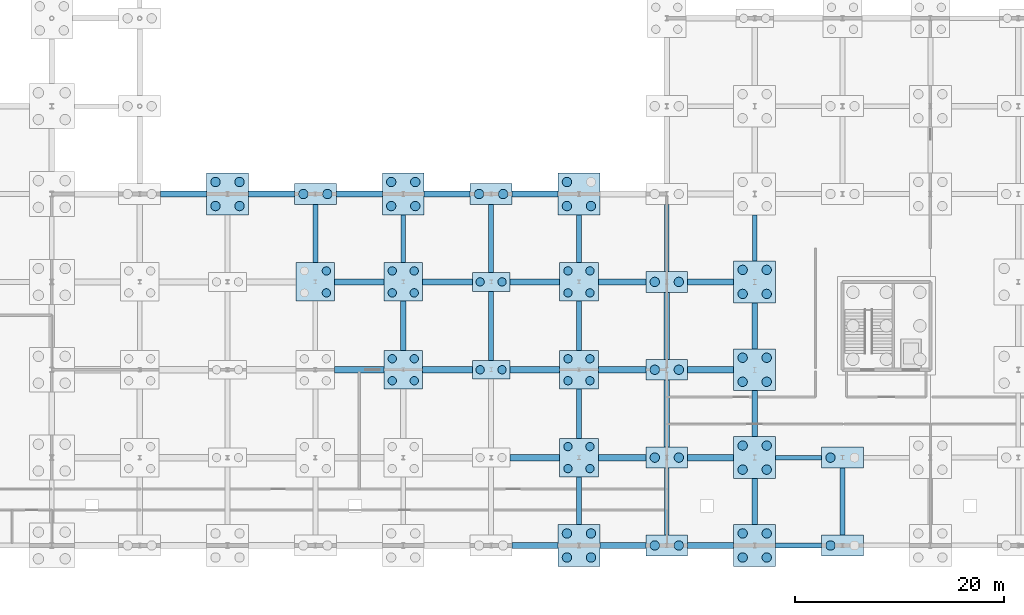
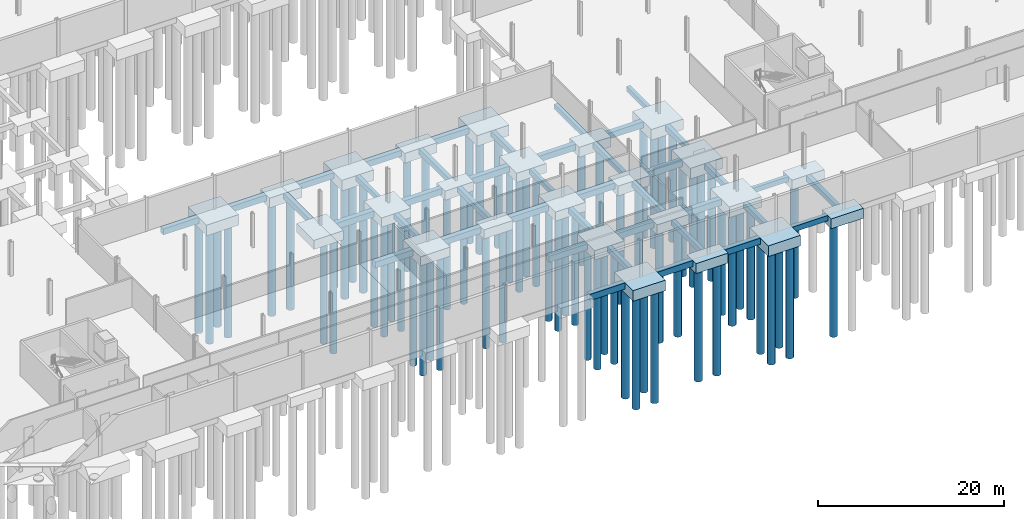
# One storey, part 4 of 51: 71 piles, 65 footings.
"""IFC4 building model written with IfcOpenShell, lengths in metres."""

from ifc_helpers import new_model, si_unit, direction, frame, origin, origin_2d, place, context, subcontext, project, spatial, rectangle, circle, extrude, material, material_profile, profile_set, type_object, element, save


model = new_model("IFC4")

# Units and contexts
model_context = context("Model", 3, precision=1e-05, world=origin(), true_north=direction((0.0, 1.0)))
body_context = subcontext(model_context, "Body", "Model", "MODEL_VIEW")
ifc_project = project(units=[si_unit("LENGTHUNIT", "METRE"), si_unit("AREAUNIT", "SQUARE_METRE"), si_unit("VOLUMEUNIT", "CUBIC_METRE"), si_unit("PLANEANGLEUNIT", "RADIAN"), si_unit("MASSUNIT", "GRAM", prefix="KILO")], contexts=[model_context])

# Site, building, storey
site_placement = place(None, origin())
site = spatial("IfcSite", under=ifc_project, at=site_placement, CompositionType="ELEMENT")
building_placement = place(site_placement, origin())
building = spatial("IfcBuilding", under=site, at=building_placement, Name="Qalvenar Corner Mobility Hub", CompositionType="ELEMENT")
storey_placement = place(building_placement, frame((0.0, 0.0, -4.5)))
storey = spatial("IfcBuildingStorey", under=building, at=storey_placement, Name="B1", CompositionType="ELEMENT", Elevation=-4.5)

# Footings
ifc_material = material(Name="Concrete C40/50", Category="concrete")
footing_type_1 = type_object("IfcFootingType", Name="PC-24X24X12", PredefinedType="PILE_CAP", material=ifc_material)
for number, where, z_axis, x_axis, name in (
    (1, (92.39990234375, 16.800048828125, -1.5498046875), (0.0, 0.0, 1.0), (1.0, 0.0, 0.0), "Pile Cap G12-2"),
    (2, (92.39990234375, 25.199951171875, -1.5498046875), (0.0, 0.0, 1.0), (1.0, 0.0, 0.0), "Pile Cap G12-3"),
):
    element("IfcFooting", number, at=place(storey_placement, frame(where, z_axis=z_axis, x_axis=x_axis)), inside=storey, type_object=footing_type_1, Name=name, PredefinedType="PILE_CAP", context=body_context, shape_type="SweptSolid", body=[
        extrude(rectangle(XDim=3.60009765625, YDim=1.800048828125, at=origin_2d()), origin(), (0.0, 0.0, 1.0), 1.199951171875),
    ])
footing_type_2 = type_object("IfcFootingType", Name="PC-28X28X12", PredefinedType="PILE_CAP", material=ifc_material)
for number, where, z_axis, x_axis, name in (
    (3, (75.60009765625, 25.199951171875, -1.5498046875), (0.0, 0.0, 1.0), (1.0, 0.0, 0.0), "Pile Cap G10-3"),
    (4, (84.0, 16.800048828125, -1.5498046875), (0.0, 0.0, 1.0), (1.0, 0.0, 0.0), "Pile Cap G11-2"),
    (5, (84.0, 25.199951171875, -1.5498046875), (0.0, 0.0, 1.0), (1.0, 0.0, 0.0), "Pile Cap G11-3"),
    (6, (100.800048828125, 8.39990234375, -1.5498046875), (0.0, 0.0, 1.0), (1.0, 0.0, 0.0), "Pile Cap G13-1"),
    (7, (100.800048828125, 16.800048828125, -1.5498046875), (0.0, 0.0, 1.0), (1.0, 0.0, 0.0), "Pile Cap G13-2"),
    (8, (100.800048828125, 25.199951171875, -1.5498046875), (0.0, 0.0, 1.0), (1.0, 0.0, 0.0), "Pile Cap G13-3"),
):
    element("IfcFooting", number, at=place(storey_placement, frame(where, z_axis=z_axis, x_axis=x_axis)), inside=storey, type_object=footing_type_2, Name=name, PredefinedType="PILE_CAP", context=body_context, shape_type="SweptSolid", body=[
        extrude(rectangle(XDim=3.699951171875, YDim=3.699951171875, at=origin_2d()), origin(), (0.0, 0.0, 1.0), 1.199951171875),
    ])
footing_type_3 = type_object("IfcFootingType", Name="PC-32X24X13", PredefinedType="PILE_CAP", material=ifc_material)
for number, where, z_axis, x_axis, name in (
    (9, (75.60009765625, 33.60009765625, -1.64990234375), (0.0, 0.0, 1.0), (1.0, 0.0, 0.0), "Pile Cap G10-4"),
    (10, (92.39990234375, 33.60009765625, -1.64990234375), (0.0, 0.0, 1.0), (1.0, 0.0, 0.0), "Pile Cap G12-4"),
    (11, (109.199951171875, 0.0, -1.64990234375), (0.0, 0.0, 1.0), (1.0, 0.0, 0.0), "Pile Cap G14-0"),
    (12, (109.199951171875, 8.39990234375, -1.64990234375), (0.0, 0.0, 1.0), (1.0, 0.0, 0.0), "Pile Cap G14-1"),
    (13, (109.199951171875, 16.800048828125, -1.64990234375), (0.0, 0.0, 1.0), (1.0, 0.0, 0.0), "Pile Cap G14-2"),
    (14, (109.199951171875, 25.199951171875, -1.64990234375), (0.0, 0.0, 1.0), (1.0, 0.0, 0.0), "Pile Cap G14-3"),
    (15, (126.0, 0.0, -1.64990234375), (0.0, 0.0, 1.0), (1.0, 0.0, 0.0), "Pile Cap G16-0"),
    (16, (126.0, 8.39990234375, -1.64990234375), (0.0, 0.0, 1.0), (1.0, 0.0, 0.0), "Pile Cap G16-1"),
):
    element("IfcFooting", number, at=place(storey_placement, frame(where, z_axis=z_axis, x_axis=x_axis)), inside=storey, type_object=footing_type_3, Name=name, PredefinedType="PILE_CAP", context=body_context, shape_type="SweptSolid", body=[
        extrude(rectangle(XDim=4.0, YDim=2.0, at=origin_2d()), origin(), (0.0, 0.0, 1.0), 1.300048828125),
    ])
footing_type_4 = type_object("IfcFootingType", Name="PC-34X34X14", PredefinedType="PILE_CAP", material=ifc_material)
for number, where, z_axis, x_axis, name in (
    (17, (67.199951171875, 33.60009765625, -1.75), (0.0, 0.0, 1.0), (1.0, 0.0, 0.0), "Pile Cap G9-4"),
    (18, (84.0, 33.60009765625, -1.75), (0.0, 0.0, 1.0), (1.0, 0.0, 0.0), "Pile Cap G11-4"),
    (19, (100.800048828125, 0.0, -1.75), (0.0, 0.0, 1.0), (1.0, 0.0, 0.0), "Pile Cap G13-0"),
    (20, (100.800048828125, 33.60009765625, -1.75), (0.0, 0.0, 1.0), (1.0, 0.0, 0.0), "Pile Cap G13-4"),
    (21, (117.60009765625, 0.0, -1.75), (0.0, 0.0, 1.0), (1.0, 0.0, 0.0), "Pile Cap G15-0"),
    (22, (117.60009765625, 8.39990234375, -1.75), (0.0, 0.0, 1.0), (1.0, 0.0, 0.0), "Pile Cap G15-1"),
    (23, (117.60009765625, 16.800048828125, -1.75), (0.0, 0.0, 1.0), (1.0, 0.0, 0.0), "Pile Cap G15-2"),
    (24, (117.60009765625, 25.199951171875, -1.75), (0.0, 0.0, 1.0), (1.0, 0.0, 0.0), "Pile Cap G15-3"),
):
    element("IfcFooting", number, at=place(storey_placement, frame(where, z_axis=z_axis, x_axis=x_axis)), inside=storey, type_object=footing_type_4, Name=name, PredefinedType="PILE_CAP", context=body_context, shape_type="SweptSolid", body=[
        extrude(rectangle(XDim=4.0, YDim=4.0, at=origin_2d()), origin(), (0.0, 0.0, 1.0), 1.39990234375),
    ])

# Piles
ifc_material_profile_1 = material_profile(ifc_material, circle(Radius=0.39990234375, at=origin_2d()), Name="DIA800")
ifc_profile_set_1 = profile_set([ifc_material_profile_1], Name="Concrete C40/50")
pile_type_1 = type_object("IfcPileType", Name="PILE-800", PredefinedType="BORED", material=ifc_profile_set_1)
for number, where, z_axis, x_axis, name in (
    (25, (76.64990234375, 24.14990234375, -1.39990234375), (0.0, 0.0, -1.0), (1.0, 0.0, 0.0), "Bored Pile G10-3-3"),
    (26, (76.64990234375, 26.25, -1.39990234375), (0.0, 0.0, -1.0), (1.0, 0.0, 0.0), "Bored Pile G10-3-4"),
    (27, (82.949951171875, 15.75, -1.39990234375), (0.0, 0.0, -1.0), (1.0, 0.0, 0.0), "Bored Pile G11-2-1"),
    (28, (82.949951171875, 17.85009765625, -1.39990234375), (0.0, 0.0, -1.0), (1.0, 0.0, 0.0), "Bored Pile G11-2-2"),
    (29, (85.050048828125, 15.75, -1.39990234375), (0.0, 0.0, -1.0), (1.0, 0.0, 0.0), "Bored Pile G11-2-3"),
    (30, (85.050048828125, 17.85009765625, -1.39990234375), (0.0, 0.0, -1.0), (1.0, 0.0, 0.0), "Bored Pile G11-2-4"),
    (31, (82.949951171875, 24.14990234375, -1.39990234375), (0.0, 0.0, -1.0), (1.0, 0.0, 0.0), "Bored Pile G11-3-1"),
    (32, (82.949951171875, 26.25, -1.39990234375), (0.0, 0.0, -1.0), (1.0, 0.0, 0.0), "Bored Pile G11-3-2"),
    (33, (85.050048828125, 24.14990234375, -1.39990234375), (0.0, 0.0, -1.0), (1.0, 0.0, 0.0), "Bored Pile G11-3-3"),
    (34, (85.050048828125, 26.25, -1.39990234375), (0.0, 0.0, -1.0), (1.0, 0.0, 0.0), "Bored Pile G11-3-4"),
    (35, (91.35009765625, 16.800048828125, -1.39990234375), (0.0, 0.0, -1.0), (1.0, 0.0, 0.0), "Bored Pile G12-2-1"),
    (36, (93.449951171875, 16.800048828125, -1.39990234375), (0.0, 0.0, -1.0), (1.0, 0.0, 0.0), "Bored Pile G12-2-2"),
    (37, (91.35009765625, 25.199951171875, -1.39990234375), (0.0, 0.0, -1.0), (1.0, 0.0, 0.0), "Bored Pile G12-3-1"),
    (38, (93.449951171875, 25.199951171875, -1.39990234375), (0.0, 0.0, -1.0), (1.0, 0.0, 0.0), "Bored Pile G12-3-2"),
    (39, (99.75, 7.35009765625, -1.39990234375), (0.0, 0.0, -1.0), (1.0, 0.0, 0.0), "Bored Pile G13-1-1"),
    (40, (99.75, 9.449951171875, -1.39990234375), (0.0, 0.0, -1.0), (1.0, 0.0, 0.0), "Bored Pile G13-1-2"),
    (41, (101.85009765625, 7.35009765625, -1.39990234375), (0.0, 0.0, -1.0), (1.0, 0.0, 0.0), "Bored Pile G13-1-3"),
    (42, (101.85009765625, 9.449951171875, -1.39990234375), (0.0, 0.0, -1.0), (1.0, 0.0, 0.0), "Bored Pile G13-1-4"),
    (43, (99.75, 15.75, -1.39990234375), (0.0, 0.0, -1.0), (1.0, 0.0, 0.0), "Bored Pile G13-2-1"),
    (44, (99.75, 17.85009765625, -1.39990234375), (0.0, 0.0, -1.0), (1.0, 0.0, 0.0), "Bored Pile G13-2-2"),
    (45, (101.85009765625, 15.75, -1.39990234375), (0.0, 0.0, -1.0), (1.0, 0.0, 0.0), "Bored Pile G13-2-3"),
    (46, (101.85009765625, 17.85009765625, -1.39990234375), (0.0, 0.0, -1.0), (1.0, 0.0, 0.0), "Bored Pile G13-2-4"),
    (47, (99.75, 24.14990234375, -1.39990234375), (0.0, 0.0, -1.0), (1.0, 0.0, 0.0), "Bored Pile G13-3-1"),
    (48, (99.75, 26.25, -1.39990234375), (0.0, 0.0, -1.0), (1.0, 0.0, 0.0), "Bored Pile G13-3-2"),
    (49, (101.85009765625, 24.14990234375, -1.39990234375), (0.0, 0.0, -1.0), (1.0, 0.0, 0.0), "Bored Pile G13-3-3"),
    (50, (101.85009765625, 26.25, -1.39990234375), (0.0, 0.0, -1.0), (1.0, 0.0, 0.0), "Bored Pile G13-3-4"),
):
    element("IfcPile", number, at=place(storey_placement, frame(where, z_axis=z_axis, x_axis=x_axis)), inside=storey, type_object=pile_type_1, Name=name, PredefinedType="BORED", context=body_context, shape_type="SweptSolid", body=[
        extrude(circle(Radius=0.39990234375, at=origin_2d()), origin(), (0.0, 0.0, 1.0), 15.10009765625),
    ])
ifc_material_profile_2 = material_profile(ifc_material, circle(Radius=0.449951171875, at=origin_2d()), Name="DIA900")
ifc_profile_set_2 = profile_set([ifc_material_profile_2], Name="Concrete C40/50")
pile_type_2 = type_object("IfcPileType", Name="PILE-900", PredefinedType="BORED", material=ifc_profile_set_2)
for number, where, z_axis, x_axis, name in (
    (51, (66.050048828125, 32.449951171875, -1.60009765625), (0.0, 0.0, -1.0), (1.0, 0.0, 0.0), "Bored Pile G9-4-1"),
    (52, (66.050048828125, 34.75, -1.60009765625), (0.0, 0.0, -1.0), (1.0, 0.0, 0.0), "Bored Pile G9-4-2"),
    (53, (68.35009765625, 32.449951171875, -1.60009765625), (0.0, 0.0, -1.0), (1.0, 0.0, 0.0), "Bored Pile G9-4-3"),
    (54, (68.35009765625, 34.75, -1.60009765625), (0.0, 0.0, -1.0), (1.0, 0.0, 0.0), "Bored Pile G9-4-4"),
):
    element("IfcPile", number, at=place(storey_placement, frame(where, z_axis=z_axis, x_axis=x_axis)), inside=storey, type_object=pile_type_2, Name=name, PredefinedType="BORED", context=body_context, shape_type="SweptSolid", body=[
        extrude(circle(Radius=0.449951171875, at=origin_2d()), origin(), (0.0, 0.0, 1.0), 14.89990234375),
    ])
for number, where, z_axis, x_axis, name in (
    (55, (74.449951171875, 33.60009765625, -1.5), (0.0, 0.0, -1.0), (1.0, 0.0, 0.0), "Bored Pile G10-4-1"),
    (56, (76.75, 33.60009765625, -1.5), (0.0, 0.0, -1.0), (1.0, 0.0, 0.0), "Bored Pile G10-4-2"),
):
    element("IfcPile", number, at=place(storey_placement, frame(where, z_axis=z_axis, x_axis=x_axis)), inside=storey, type_object=pile_type_2, Name=name, PredefinedType="BORED", context=body_context, shape_type="SweptSolid", body=[
        extrude(circle(Radius=0.449951171875, at=origin_2d()), origin(), (0.0, 0.0, 1.0), 15.0),
    ])
for number, where, z_axis, x_axis, name in (
    (57, (82.85009765625, 32.449951171875, -1.60009765625), (0.0, 0.0, -1.0), (1.0, 0.0, 0.0), "Bored Pile G11-4-1"),
    (58, (82.85009765625, 34.75, -1.60009765625), (0.0, 0.0, -1.0), (1.0, 0.0, 0.0), "Bored Pile G11-4-2"),
    (59, (85.14990234375, 32.449951171875, -1.60009765625), (0.0, 0.0, -1.0), (1.0, 0.0, 0.0), "Bored Pile G11-4-3"),
    (60, (85.14990234375, 34.75, -1.60009765625), (0.0, 0.0, -1.0), (1.0, 0.0, 0.0), "Bored Pile G11-4-4"),
):
    element("IfcPile", number, at=place(storey_placement, frame(where, z_axis=z_axis, x_axis=x_axis)), inside=storey, type_object=pile_type_2, Name=name, PredefinedType="BORED", context=body_context, shape_type="SweptSolid", body=[
        extrude(circle(Radius=0.449951171875, at=origin_2d()), origin(), (0.0, 0.0, 1.0), 14.89990234375),
    ])
for number, where, z_axis, x_axis, name in (
    (61, (91.25, 33.60009765625, -1.5), (0.0, 0.0, -1.0), (1.0, 0.0, 0.0), "Bored Pile G12-4-1"),
    (62, (93.550048828125, 33.60009765625, -1.5), (0.0, 0.0, -1.0), (1.0, 0.0, 0.0), "Bored Pile G12-4-2"),
):
    element("IfcPile", number, at=place(storey_placement, frame(where, z_axis=z_axis, x_axis=x_axis)), inside=storey, type_object=pile_type_2, Name=name, PredefinedType="BORED", context=body_context, shape_type="SweptSolid", body=[
        extrude(circle(Radius=0.449951171875, at=origin_2d()), origin(), (0.0, 0.0, 1.0), 15.0),
    ])
for number, where, z_axis, x_axis, name in (
    (63, (99.64990234375, -1.14990234375, -1.60009765625), (0.0, 0.0, -1.0), (1.0, 0.0, 0.0), "Bored Pile G13-0-1"),
    (64, (99.64990234375, 1.14990234375, -1.60009765625), (0.0, 0.0, -1.0), (1.0, 0.0, 0.0), "Bored Pile G13-0-2"),
    (65, (101.949951171875, -1.14990234375, -1.60009765625), (0.0, 0.0, -1.0), (1.0, 0.0, 0.0), "Bored Pile G13-0-3"),
    (66, (101.949951171875, 1.14990234375, -1.60009765625), (0.0, 0.0, -1.0), (1.0, 0.0, 0.0), "Bored Pile G13-0-4"),
    (67, (99.64990234375, 32.449951171875, -1.60009765625), (0.0, 0.0, -1.0), (1.0, 0.0, 0.0), "Bored Pile G13-4-1"),
    (68, (99.64990234375, 34.75, -1.60009765625), (0.0, 0.0, -1.0), (1.0, 0.0, 0.0), "Bored Pile G13-4-2"),
    (69, (101.949951171875, 32.449951171875, -1.60009765625), (0.0, 0.0, -1.0), (1.0, 0.0, 0.0), "Bored Pile G13-4-3"),
):
    element("IfcPile", number, at=place(storey_placement, frame(where, z_axis=z_axis, x_axis=x_axis)), inside=storey, type_object=pile_type_2, Name=name, PredefinedType="BORED", context=body_context, shape_type="SweptSolid", body=[
        extrude(circle(Radius=0.449951171875, at=origin_2d()), origin(), (0.0, 0.0, 1.0), 14.89990234375),
    ])
for number, where, z_axis, x_axis, name in (
    (70, (108.050048828125, 0.0, -1.5), (0.0, 0.0, -1.0), (1.0, 0.0, 0.0), "Bored Pile G14-0-1"),
    (71, (110.35009765625, 0.0, -1.5), (0.0, 0.0, -1.0), (1.0, 0.0, 0.0), "Bored Pile G14-0-2"),
    (72, (108.050048828125, 8.39990234375, -1.5), (0.0, 0.0, -1.0), (1.0, 0.0, 0.0), "Bored Pile G14-1-1"),
    (73, (110.35009765625, 8.39990234375, -1.5), (0.0, 0.0, -1.0), (1.0, 0.0, 0.0), "Bored Pile G14-1-2"),
    (74, (108.050048828125, 16.800048828125, -1.5), (0.0, 0.0, -1.0), (1.0, 0.0, 0.0), "Bored Pile G14-2-1"),
    (75, (110.35009765625, 16.800048828125, -1.5), (0.0, 0.0, -1.0), (1.0, 0.0, 0.0), "Bored Pile G14-2-2"),
    (76, (108.050048828125, 25.199951171875, -1.5), (0.0, 0.0, -1.0), (1.0, 0.0, 0.0), "Bored Pile G14-3-1"),
    (77, (110.35009765625, 25.199951171875, -1.5), (0.0, 0.0, -1.0), (1.0, 0.0, 0.0), "Bored Pile G14-3-2"),
):
    element("IfcPile", number, at=place(storey_placement, frame(where, z_axis=z_axis, x_axis=x_axis)), inside=storey, type_object=pile_type_2, Name=name, PredefinedType="BORED", context=body_context, shape_type="SweptSolid", body=[
        extrude(circle(Radius=0.449951171875, at=origin_2d()), origin(), (0.0, 0.0, 1.0), 15.0),
    ])
for number, where, z_axis, x_axis, name in (
    (78, (116.449951171875, -1.14990234375, -1.60009765625), (0.0, 0.0, -1.0), (1.0, 0.0, 0.0), "Bored Pile G15-0-1"),
    (79, (116.449951171875, 1.14990234375, -1.60009765625), (0.0, 0.0, -1.0), (1.0, 0.0, 0.0), "Bored Pile G15-0-2"),
    (80, (118.75, -1.14990234375, -1.60009765625), (0.0, 0.0, -1.0), (1.0, 0.0, 0.0), "Bored Pile G15-0-3"),
    (81, (118.75, 1.14990234375, -1.60009765625), (0.0, 0.0, -1.0), (1.0, 0.0, 0.0), "Bored Pile G15-0-4"),
    (82, (116.449951171875, 7.25, -1.60009765625), (0.0, 0.0, -1.0), (1.0, 0.0, 0.0), "Bored Pile G15-1-1"),
    (83, (116.449951171875, 9.550048828125, -1.60009765625), (0.0, 0.0, -1.0), (1.0, 0.0, 0.0), "Bored Pile G15-1-2"),
    (84, (118.75, 7.25, -1.60009765625), (0.0, 0.0, -1.0), (1.0, 0.0, 0.0), "Bored Pile G15-1-3"),
    (85, (118.75, 9.550048828125, -1.60009765625), (0.0, 0.0, -1.0), (1.0, 0.0, 0.0), "Bored Pile G15-1-4"),
    (86, (116.449951171875, 15.64990234375, -1.60009765625), (0.0, 0.0, -1.0), (1.0, 0.0, 0.0), "Bored Pile G15-2-1"),
    (87, (116.449951171875, 17.949951171875, -1.60009765625), (0.0, 0.0, -1.0), (1.0, 0.0, 0.0), "Bored Pile G15-2-2"),
    (88, (118.75, 15.64990234375, -1.60009765625), (0.0, 0.0, -1.0), (1.0, 0.0, 0.0), "Bored Pile G15-2-3"),
    (89, (118.75, 17.949951171875, -1.60009765625), (0.0, 0.0, -1.0), (1.0, 0.0, 0.0), "Bored Pile G15-2-4"),
    (90, (116.449951171875, 24.050048828125, -1.60009765625), (0.0, 0.0, -1.0), (1.0, 0.0, 0.0), "Bored Pile G15-3-1"),
    (91, (116.449951171875, 26.35009765625, -1.60009765625), (0.0, 0.0, -1.0), (1.0, 0.0, 0.0), "Bored Pile G15-3-2"),
    (92, (118.75, 24.050048828125, -1.60009765625), (0.0, 0.0, -1.0), (1.0, 0.0, 0.0), "Bored Pile G15-3-3"),
    (93, (118.75, 26.35009765625, -1.60009765625), (0.0, 0.0, -1.0), (1.0, 0.0, 0.0), "Bored Pile G15-3-4"),
):
    element("IfcPile", number, at=place(storey_placement, frame(where, z_axis=z_axis, x_axis=x_axis)), inside=storey, type_object=pile_type_2, Name=name, PredefinedType="BORED", context=body_context, shape_type="SweptSolid", body=[
        extrude(circle(Radius=0.449951171875, at=origin_2d()), origin(), (0.0, 0.0, 1.0), 14.89990234375),
    ])
for number, where, z_axis, x_axis, name in (
    (94, (124.85009765625, 0.0, -1.5), (0.0, 0.0, -1.0), (1.0, 0.0, 0.0), "Bored Pile G16-0-1"),
    (95, (124.85009765625, 8.39990234375, -1.5), (0.0, 0.0, -1.0), (1.0, 0.0, 0.0), "Bored Pile G16-1-1"),
):
    element("IfcPile", number, at=place(storey_placement, frame(where, z_axis=z_axis, x_axis=x_axis)), inside=storey, type_object=pile_type_2, Name=name, PredefinedType="BORED", context=body_context, shape_type="SweptSolid", body=[
        extrude(circle(Radius=0.449951171875, at=origin_2d()), origin(), (0.0, 0.0, 1.0), 15.0),
    ])

# Footings
ifc_material_profile_3 = material_profile(ifc_material, rectangle(XDim=0.449951171875, YDim=0.64990234375, at=origin_2d()), Name="RC450x650")
ifc_profile_set_3 = profile_set([ifc_material_profile_3], Name="Concrete C40/50")
footing_type_5 = type_object("IfcFootingType", Name="TB-450X650", PredefinedType="FOOTING_BEAM", material=ifc_profile_set_3)
footing_1_placement = place(storey_placement, frame((84.0, 27.050048828125, -0.675048828125), z_axis=(0.0, 1.0, 0.0), x_axis=(-1.0, 0.0, 0.0)))
element("IfcFooting", 96, at=footing_1_placement, inside=storey, type_object=footing_type_5, Name="Foundation Tie Beam TB-165", PredefinedType="FOOTING_BEAM", context=body_context, shape_type="SweptSolid", body=[
    extrude(rectangle(XDim=0.449951171875, YDim=0.64990234375, at=origin_2d()), origin(), (0.0, 0.0, 1.0), 4.550048828125),
])
footing_2_placement = place(storey_placement, frame((100.800048828125, 18.64990234375, -0.675048828125), z_axis=(0.0, 1.0, 0.0), x_axis=(-1.0, 0.0, 0.0)))
element("IfcFooting", 97, at=footing_2_placement, inside=storey, type_object=footing_type_5, Name="Foundation Tie Beam TB-207", PredefinedType="FOOTING_BEAM", context=body_context, shape_type="SweptSolid", body=[
    extrude(rectangle(XDim=0.449951171875, YDim=0.64990234375, at=origin_2d()), origin(), (0.0, 0.0, 1.0), 4.7001953125),
])
footing_3_placement = place(storey_placement, frame((109.199951171875, 1.0, -0.675048828125), z_axis=(0.0, 1.0, 0.0), x_axis=(-1.0, 0.0, 0.0)))
element("IfcFooting", 98, at=footing_3_placement, inside=storey, type_object=footing_type_5, Name="Foundation Tie Beam TB-225", PredefinedType="FOOTING_BEAM", context=body_context, shape_type="SweptSolid", body=[
    extrude(rectangle(XDim=0.449951171875, YDim=0.64990234375, at=origin_2d()), origin(), (0.0, 0.0, 1.0), 6.39990234375),
])
footing_4_placement = place(storey_placement, frame((109.199951171875, 26.199951171875, -0.675048828125), z_axis=(0.0, 1.0, 0.0), x_axis=(-1.0, 0.0, 0.0)))
element("IfcFooting", 99, at=footing_4_placement, inside=storey, type_object=footing_type_5, Name="Foundation Tie Beam TB-231", PredefinedType="FOOTING_BEAM", context=body_context, shape_type="SweptSolid", body=[
    extrude(rectangle(XDim=0.449951171875, YDim=0.64990234375, at=origin_2d()), origin(), (0.0, 0.0, 1.0), 6.400146484375),
])
footing_5_placement = place(storey_placement, frame((119.60009765625, 8.39990234375, -0.675048828125), z_axis=(1.0, 0.0, 0.0), x_axis=(0.0, 1.0, 0.0)))
element("IfcFooting", 100, at=footing_5_placement, inside=storey, type_object=footing_type_5, Name="Foundation Tie Beam TB-252", PredefinedType="FOOTING_BEAM", context=body_context, shape_type="SweptSolid", body=[
    extrude(rectangle(XDim=0.449951171875, YDim=0.64990234375, at=origin_2d()), origin(), (0.0, 0.0, 1.0), 4.39990234375),
])
footing_6_placement = place(storey_placement, frame((117.60009765625, 27.199951171875, -0.675048828125), z_axis=(0.0, 1.0, 0.0), x_axis=(-1.0, 0.0, 0.0)))
element("IfcFooting", 101, at=footing_6_placement, inside=storey, type_object=footing_type_5, Name="Foundation Tie Beam TB-255", PredefinedType="FOOTING_BEAM", context=body_context, shape_type="SweptSolid", body=[
    extrude(rectangle(XDim=0.449951171875, YDim=0.64990234375, at=origin_2d()), origin(), (0.0, 0.0, 1.0), 4.400146484375),
])
ifc_material_profile_4 = material_profile(ifc_material, rectangle(XDim=0.5, YDim=0.699951171875, at=origin_2d()), Name="RC500x700")
ifc_profile_set_4 = profile_set([ifc_material_profile_4], Name="Concrete C40/50")
footing_type_6 = type_object("IfcFootingType", Name="TB-500X700", PredefinedType="FOOTING_BEAM", material=ifc_profile_set_4)
footing_7_placement = place(storey_placement, frame((75.60009765625, 27.050048828125, -0.699951171875), z_axis=(0.0, 1.0, 0.0), x_axis=(-1.0, 0.0, 0.0)))
element("IfcFooting", 102, at=footing_7_placement, inside=storey, type_object=footing_type_6, Name="Foundation Tie Beam TB-143", PredefinedType="FOOTING_BEAM", context=body_context, shape_type="SweptSolid", body=[
    extrude(rectangle(XDim=0.5, YDim=0.699951171875, at=origin_2d()), origin(), (0.0, 0.0, 1.0), 5.550048828125),
])
footing_8_placement = place(storey_placement, frame((84.0, 18.64990234375, -0.699951171875), z_axis=(0.0, 1.0, 0.0), x_axis=(-1.0, 0.0, 0.0)))
element("IfcFooting", 103, at=footing_8_placement, inside=storey, type_object=footing_type_6, Name="Foundation Tie Beam TB-163", PredefinedType="FOOTING_BEAM", context=body_context, shape_type="SweptSolid", body=[
    extrude(rectangle(XDim=0.5, YDim=0.699951171875, at=origin_2d()), origin(), (0.0, 0.0, 1.0), 4.7001953125),
])
footing_9_placement = place(storey_placement, frame((92.39990234375, 17.699951171875, -0.699951171875), z_axis=(0.0, 1.0, 0.0), x_axis=(-1.0, 0.0, 0.0)))
element("IfcFooting", 104, at=footing_9_placement, inside=storey, type_object=footing_type_6, Name="Foundation Tie Beam TB-185", PredefinedType="FOOTING_BEAM", context=body_context, shape_type="SweptSolid", body=[
    extrude(rectangle(XDim=0.5, YDim=0.699951171875, at=origin_2d()), origin(), (0.0, 0.0, 1.0), 6.60009765625),
])
footing_10_placement = place(storey_placement, frame((92.39990234375, 26.10009765625, -0.699951171875), z_axis=(0.0, 1.0, 0.0), x_axis=(-1.0, 0.0, 0.0)))
element("IfcFooting", 105, at=footing_10_placement, inside=storey, type_object=footing_type_6, Name="Foundation Tie Beam TB-187", PredefinedType="FOOTING_BEAM", context=body_context, shape_type="SweptSolid", body=[
    extrude(rectangle(XDim=0.5, YDim=0.699951171875, at=origin_2d()), origin(), (0.0, 0.0, 1.0), 6.5),
])
footing_11_placement = place(storey_placement, frame((100.800048828125, 2.0, -0.699951171875), z_axis=(0.0, 1.0, 0.0), x_axis=(-1.0, 0.0, 0.0)))
element("IfcFooting", 106, at=footing_11_placement, inside=storey, type_object=footing_type_6, Name="Foundation Tie Beam TB-203", PredefinedType="FOOTING_BEAM", context=body_context, shape_type="SweptSolid", body=[
    extrude(rectangle(XDim=0.5, YDim=0.699951171875, at=origin_2d()), origin(), (0.0, 0.0, 1.0), 4.550048828125),
])
footing_12_placement = place(storey_placement, frame((100.800048828125, 10.25, -0.699951171875), z_axis=(0.0, 1.0, 0.0), x_axis=(-1.0, 0.0, 0.0)))
element("IfcFooting", 107, at=footing_12_placement, inside=storey, type_object=footing_type_6, Name="Foundation Tie Beam TB-205", PredefinedType="FOOTING_BEAM", context=body_context, shape_type="SweptSolid", body=[
    extrude(rectangle(XDim=0.5, YDim=0.699951171875, at=origin_2d()), origin(), (0.0, 0.0, 1.0), 4.699951171875),
])
footing_13_placement = place(storey_placement, frame((100.800048828125, 27.050048828125, -0.699951171875), z_axis=(0.0, 1.0, 0.0), x_axis=(-1.0, 0.0, 0.0)))
element("IfcFooting", 108, at=footing_13_placement, inside=storey, type_object=footing_type_6, Name="Foundation Tie Beam TB-209", PredefinedType="FOOTING_BEAM", context=body_context, shape_type="SweptSolid", body=[
    extrude(rectangle(XDim=0.5, YDim=0.699951171875, at=origin_2d()), origin(), (0.0, 0.0, 1.0), 4.550048828125),
])
footing_14_placement = place(storey_placement, frame((109.199951171875, 9.39990234375, -0.699951171875), z_axis=(0.0, 1.0, 0.0), x_axis=(-1.0, 0.0, 0.0)))
element("IfcFooting", 109, at=footing_14_placement, inside=storey, type_object=footing_type_6, Name="Foundation Tie Beam TB-227", PredefinedType="FOOTING_BEAM", context=body_context, shape_type="SweptSolid", body=[
    extrude(rectangle(XDim=0.5, YDim=0.699951171875, at=origin_2d()), origin(), (0.0, 0.0, 1.0), 6.400146484375),
])
footing_15_placement = place(storey_placement, frame((109.199951171875, 17.800048828125, -0.699951171875), z_axis=(0.0, 1.0, 0.0), x_axis=(-1.0, 0.0, 0.0)))
element("IfcFooting", 110, at=footing_15_placement, inside=storey, type_object=footing_type_6, Name="Foundation Tie Beam TB-229", PredefinedType="FOOTING_BEAM", context=body_context, shape_type="SweptSolid", body=[
    extrude(rectangle(XDim=0.5, YDim=0.699951171875, at=origin_2d()), origin(), (0.0, 0.0, 1.0), 6.39990234375),
])
for number, where, z_axis, x_axis, name in (
    (111, (119.60009765625, 0.0, -0.699951171875), (1.0, 0.0, 0.0), (0.0, 1.0, 0.0), "Foundation Tie Beam TB-250"),
    (112, (117.60009765625, 2.0, -0.699951171875), (0.0, 1.0, 0.0), (-1.0, 0.0, 0.0), "Foundation Tie Beam TB-251"),
):
    element("IfcFooting", number, at=place(storey_placement, frame(where, z_axis=z_axis, x_axis=x_axis)), inside=storey, type_object=footing_type_6, Name=name, PredefinedType="FOOTING_BEAM", context=body_context, shape_type="SweptSolid", body=[
        extrude(rectangle(XDim=0.5, YDim=0.699951171875, at=origin_2d()), origin(), (0.0, 0.0, 1.0), 4.39990234375),
    ])
footing_16_placement = place(storey_placement, frame((117.60009765625, 10.39990234375, -0.699951171875), z_axis=(0.0, 1.0, 0.0), x_axis=(-1.0, 0.0, 0.0)))
element("IfcFooting", 113, at=footing_16_placement, inside=storey, type_object=footing_type_6, Name="Foundation Tie Beam TB-253", PredefinedType="FOOTING_BEAM", context=body_context, shape_type="SweptSolid", body=[
    extrude(rectangle(XDim=0.5, YDim=0.699951171875, at=origin_2d()), origin(), (0.0, 0.0, 1.0), 4.400146484375),
])
footing_17_placement = place(storey_placement, frame((117.60009765625, 18.800048828125, -0.699951171875), z_axis=(0.0, 1.0, 0.0), x_axis=(-1.0, 0.0, 0.0)))
element("IfcFooting", 114, at=footing_17_placement, inside=storey, type_object=footing_type_6, Name="Foundation Tie Beam TB-254", PredefinedType="FOOTING_BEAM", context=body_context, shape_type="SweptSolid", body=[
    extrude(rectangle(XDim=0.5, YDim=0.699951171875, at=origin_2d()), origin(), (0.0, 0.0, 1.0), 4.39990234375),
])
footing_18_placement = place(storey_placement, frame((126.0, 1.0, -0.699951171875), z_axis=(0.0, 1.0, 0.0), x_axis=(-1.0, 0.0, 0.0)))
element("IfcFooting", 115, at=footing_18_placement, inside=storey, type_object=footing_type_6, Name="Foundation Tie Beam TB-275", PredefinedType="FOOTING_BEAM", context=body_context, shape_type="SweptSolid", body=[
    extrude(rectangle(XDim=0.5, YDim=0.699951171875, at=origin_2d()), origin(), (0.0, 0.0, 1.0), 6.39990234375),
])
ifc_material_profile_5 = material_profile(ifc_material, rectangle(XDim=0.60009765625, YDim=0.800048828125, at=origin_2d()), Name="RC600x800")
ifc_profile_set_5 = profile_set([ifc_material_profile_5], Name="Concrete C40/50")
footing_type_7 = type_object("IfcFootingType", Name="TB-600X800", PredefinedType="FOOTING_BEAM", material=ifc_profile_set_5)
footing_19_placement = place(storey_placement, frame((60.800048828125, 33.60009765625, -0.75), z_axis=(1.0, 0.0, 0.0), x_axis=(0.0, 1.0, 0.0)))
element("IfcFooting", 116, at=footing_19_placement, inside=storey, type_object=footing_type_7, Name="Foundation Tie Beam TB-108", PredefinedType="FOOTING_BEAM", context=body_context, shape_type="SweptSolid", body=[
    extrude(rectangle(XDim=0.60009765625, YDim=0.800048828125, at=origin_2d()), origin(), (0.0, 0.0, 1.0), 4.39990234375),
])
footing_20_placement = place(storey_placement, frame((69.199951171875, 33.60009765625, -0.75), z_axis=(1.0, 0.0, 0.0), x_axis=(0.0, 1.0, 0.0)))
element("IfcFooting", 117, at=footing_20_placement, inside=storey, type_object=footing_type_7, Name="Foundation Tie Beam TB-127", PredefinedType="FOOTING_BEAM", context=body_context, shape_type="SweptSolid", body=[
    extrude(rectangle(XDim=0.60009765625, YDim=0.800048828125, at=origin_2d()), origin(), (0.0, 0.0, 1.0), 4.400146484375),
])
for number, where, z_axis, x_axis, name in (
    (118, (77.449951171875, 16.800048828125, -0.75), (1.0, 0.0, 0.0), (0.0, 1.0, 0.0), "Foundation Tie Beam TB-140"),
    (119, (77.449951171875, 25.199951171875, -0.75), (1.0, 0.0, 0.0), (0.0, 1.0, 0.0), "Foundation Tie Beam TB-142"),
):
    element("IfcFooting", number, at=place(storey_placement, frame(where, z_axis=z_axis, x_axis=x_axis)), inside=storey, type_object=footing_type_7, Name=name, PredefinedType="FOOTING_BEAM", context=body_context, shape_type="SweptSolid", body=[
        extrude(rectangle(XDim=0.60009765625, YDim=0.800048828125, at=origin_2d()), origin(), (0.0, 0.0, 1.0), 4.699951171875),
    ])
footing_21_placement = place(storey_placement, frame((77.60009765625, 33.60009765625, -0.75), z_axis=(1.0, 0.0, 0.0), x_axis=(0.0, 1.0, 0.0)))
element("IfcFooting", 120, at=footing_21_placement, inside=storey, type_object=footing_type_7, Name="Foundation Tie Beam TB-144", PredefinedType="FOOTING_BEAM", context=body_context, shape_type="SweptSolid", body=[
    extrude(rectangle(XDim=0.60009765625, YDim=0.800048828125, at=origin_2d()), origin(), (0.0, 0.0, 1.0), 4.39990234375),
])
for number, where, z_axis, x_axis, name in (
    (121, (85.85009765625, 16.800048828125, -0.75), (1.0, 0.0, 0.0), (0.0, 1.0, 0.0), "Foundation Tie Beam TB-162"),
    (122, (85.85009765625, 25.199951171875, -0.75), (1.0, 0.0, 0.0), (0.0, 1.0, 0.0), "Foundation Tie Beam TB-164"),
):
    element("IfcFooting", number, at=place(storey_placement, frame(where, z_axis=z_axis, x_axis=x_axis)), inside=storey, type_object=footing_type_7, Name=name, PredefinedType="FOOTING_BEAM", context=body_context, shape_type="SweptSolid", body=[
        extrude(rectangle(XDim=0.60009765625, YDim=0.800048828125, at=origin_2d()), origin(), (0.0, 0.0, 1.0), 4.75),
    ])
footing_22_placement = place(storey_placement, frame((86.0, 33.60009765625, -0.75), z_axis=(1.0, 0.0, 0.0), x_axis=(0.0, 1.0, 0.0)))
element("IfcFooting", 123, at=footing_22_placement, inside=storey, type_object=footing_type_7, Name="Foundation Tie Beam TB-166", PredefinedType="FOOTING_BEAM", context=body_context, shape_type="SweptSolid", body=[
    extrude(rectangle(XDim=0.60009765625, YDim=0.800048828125, at=origin_2d()), origin(), (0.0, 0.0, 1.0), 4.39990234375),
])
footing_23_placement = place(storey_placement, frame((94.39990234375, 0.0, -0.75), z_axis=(1.0, 0.0, 0.0), x_axis=(0.0, 1.0, 0.0)))
element("IfcFooting", 124, at=footing_23_placement, inside=storey, type_object=footing_type_7, Name="Foundation Tie Beam TB-180", PredefinedType="FOOTING_BEAM", context=body_context, shape_type="SweptSolid", body=[
    extrude(rectangle(XDim=0.60009765625, YDim=0.800048828125, at=origin_2d()), origin(), (0.0, 0.0, 1.0), 4.400146484375),
])
for number, where, z_axis, x_axis, name in (
    (125, (94.199951171875, 8.39990234375, -0.75), (1.0, 0.0, 0.0), (0.0, 1.0, 0.0), "Foundation Tie Beam TB-182"),
    (126, (94.199951171875, 16.800048828125, -0.75), (1.0, 0.0, 0.0), (0.0, 1.0, 0.0), "Foundation Tie Beam TB-184"),
    (127, (94.199951171875, 25.199951171875, -0.75), (1.0, 0.0, 0.0), (0.0, 1.0, 0.0), "Foundation Tie Beam TB-186"),
):
    element("IfcFooting", number, at=place(storey_placement, frame(where, z_axis=z_axis, x_axis=x_axis)), inside=storey, type_object=footing_type_7, Name=name, PredefinedType="FOOTING_BEAM", context=body_context, shape_type="SweptSolid", body=[
        extrude(rectangle(XDim=0.60009765625, YDim=0.800048828125, at=origin_2d()), origin(), (0.0, 0.0, 1.0), 4.75),
    ])
footing_24_placement = place(storey_placement, frame((94.39990234375, 33.60009765625, -0.75), z_axis=(1.0, 0.0, 0.0), x_axis=(0.0, 1.0, 0.0)))
element("IfcFooting", 128, at=footing_24_placement, inside=storey, type_object=footing_type_7, Name="Foundation Tie Beam TB-188", PredefinedType="FOOTING_BEAM", context=body_context, shape_type="SweptSolid", body=[
    extrude(rectangle(XDim=0.60009765625, YDim=0.800048828125, at=origin_2d()), origin(), (0.0, 0.0, 1.0), 4.400146484375),
])
footing_25_placement = place(storey_placement, frame((102.800048828125, 0.0, -0.75), z_axis=(1.0, 0.0, 0.0), x_axis=(0.0, 1.0, 0.0)))
element("IfcFooting", 129, at=footing_25_placement, inside=storey, type_object=footing_type_7, Name="Foundation Tie Beam TB-202", PredefinedType="FOOTING_BEAM", context=body_context, shape_type="SweptSolid", body=[
    extrude(rectangle(XDim=0.60009765625, YDim=0.800048828125, at=origin_2d()), origin(), (0.0, 0.0, 1.0), 4.39990234375),
])
for number, where, z_axis, x_axis, name in (
    (130, (102.64990234375, 8.39990234375, -0.75), (1.0, 0.0, 0.0), (0.0, 1.0, 0.0), "Foundation Tie Beam TB-204"),
    (131, (102.64990234375, 16.800048828125, -0.75), (1.0, 0.0, 0.0), (0.0, 1.0, 0.0), "Foundation Tie Beam TB-206"),
    (132, (102.64990234375, 25.199951171875, -0.75), (1.0, 0.0, 0.0), (0.0, 1.0, 0.0), "Foundation Tie Beam TB-208"),
):
    element("IfcFooting", number, at=place(storey_placement, frame(where, z_axis=z_axis, x_axis=x_axis)), inside=storey, type_object=footing_type_7, Name=name, PredefinedType="FOOTING_BEAM", context=body_context, shape_type="SweptSolid", body=[
        extrude(rectangle(XDim=0.60009765625, YDim=0.800048828125, at=origin_2d()), origin(), (0.0, 0.0, 1.0), 4.550048828125),
    ])
for number, where, z_axis, x_axis, name in (
    (133, (111.199951171875, 0.0, -0.75), (1.0, 0.0, 0.0), (0.0, 1.0, 0.0), "Foundation Tie Beam TB-224"),
    (134, (111.199951171875, 8.39990234375, -0.75), (1.0, 0.0, 0.0), (0.0, 1.0, 0.0), "Foundation Tie Beam TB-226"),
    (135, (111.199951171875, 16.800048828125, -0.75), (1.0, 0.0, 0.0), (0.0, 1.0, 0.0), "Foundation Tie Beam TB-228"),
    (136, (111.199951171875, 25.199951171875, -0.75), (1.0, 0.0, 0.0), (0.0, 1.0, 0.0), "Foundation Tie Beam TB-230"),
):
    element("IfcFooting", number, at=place(storey_placement, frame(where, z_axis=z_axis, x_axis=x_axis)), inside=storey, type_object=footing_type_7, Name=name, PredefinedType="FOOTING_BEAM", context=body_context, shape_type="SweptSolid", body=[
        extrude(rectangle(XDim=0.60009765625, YDim=0.800048828125, at=origin_2d()), origin(), (0.0, 0.0, 1.0), 4.400146484375),
    ])

save(model, "model.ifc")
